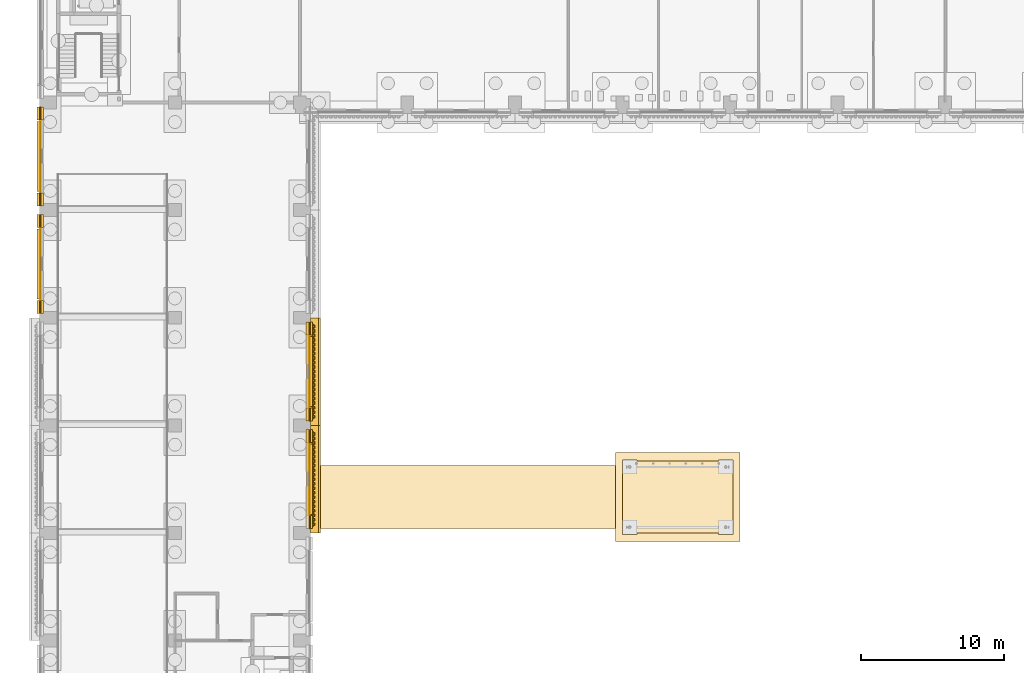
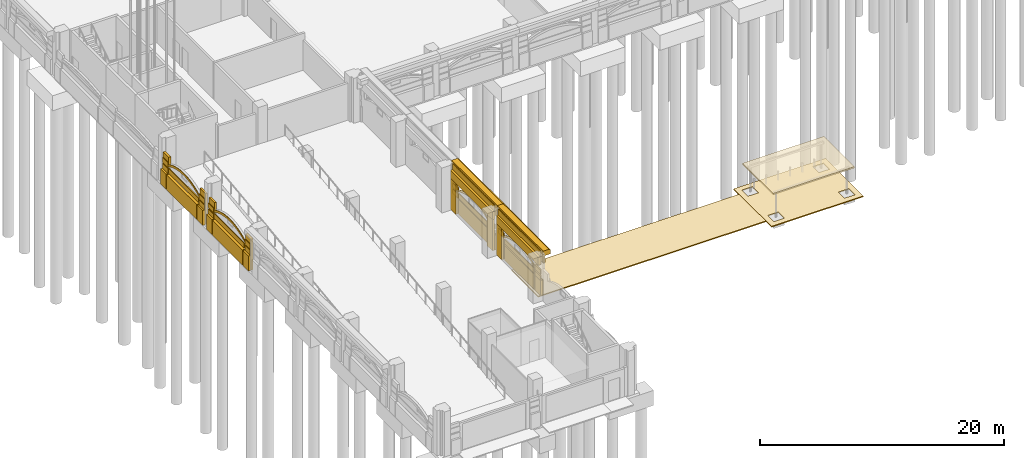
# One storey, part 62 of 99: 52 coverings, 1 element without a shape of its own.
"""IFC4 building model written with IfcOpenShell, lengths in metres."""

import ifcopenshell
import ifcopenshell.guid

model = None  # the IFC model being written
_history = None  # IfcOwnerHistory: only IFC2X3 demands one
_inside = {}  # id of a spatial element -> (the spatial element, [elements in it])
_under = {}  # id of a project, library or spatial element -> (it, [spatial elements below it])
_declared = {}  # id of a project -> (the project, [libraries it declares])
_typed = {}  # id of a type object -> (the type object, [elements of that type])
_made_of = {}  # id of a material, layer set ... -> (it, [elements and type objects made of it])


def new_model(schema):
    """Start an empty IFC model of exactly this schema.

    Asked for "IFC4X3", IfcOpenShell would pick the latest addendum, in which some entities
    have other attributes; the version numbers below select the first issue.
    IFC2X3 requires an IfcOwnerHistory on every rooted entity: one is made here for all.
    """
    global model, _history
    if schema == "IFC4X3":
        model = ifcopenshell.file(schema_version=(4, 3, 0, 0))
    else:
        model = ifcopenshell.file(schema=schema)
    _inside.clear()
    _under.clear()
    _declared.clear()
    _typed.clear()
    _made_of.clear()
    _history = None
    if model.schema == "IFC2X3":
        org = make("IfcOrganization", Name="unknown")
        user = make(
            "IfcPersonAndOrganization",
            ThePerson=make("IfcPerson", FamilyName="unknown"),
            TheOrganization=org,
        )
        app = make(
            "IfcApplication",
            ApplicationDeveloper=org,
            Version="unknown",
            ApplicationFullName="unknown",
            ApplicationIdentifier="unknown",
        )
        _history = make(
            "IfcOwnerHistory",
            OwningUser=user,
            OwningApplication=app,
            ChangeAction="ADDED",
            CreationDate=0,
        )
    return model


def make(cls, **values):
    """One entity of the class cls with the attributes given. An attribute that is None is left unset."""
    return model.create_entity(
        cls, **{name: value for name, value in values.items() if value is not None}
    )


def rooted(cls, **values):
    """An entity with a GlobalId (a new one), such as an element, a storey or a relation."""
    return make(cls, GlobalId=ifcopenshell.guid.new(), OwnerHistory=_history, **values)


def si_unit(unit_type, name, prefix=None):
    """IfcSIUnit, for example si_unit("LENGTHUNIT", "METRE", prefix="MILLI")."""
    return make("IfcSIUnit", UnitType=unit_type, Prefix=prefix, Name=name)


def assignment(units):
    """IfcUnitAssignment: the units of a project."""
    return None if units is None else make("IfcUnitAssignment", Units=units)


def point(xyz):
    """IfcCartesianPoint."""
    return None if xyz is None else make("IfcCartesianPoint", Coordinates=xyz)


def direction(xyz):
    """IfcDirection."""
    return None if xyz is None else make("IfcDirection", DirectionRatios=xyz)


def frame(location, z_axis=None, x_axis=None):
    """IfcAxis2Placement3D, a coordinate frame: its origin and axes. An axis left out is left unset."""
    return make(
        "IfcAxis2Placement3D",
        Location=point(location),
        Axis=direction(z_axis),
        RefDirection=direction(x_axis),
    )


def origin():
    """The frame at (0, 0, 0) with its axes left unset."""
    return frame((0.0, 0.0, 0.0))


def place(relative_to, where):
    """IfcLocalPlacement: puts the frame where relative to a parent placement (None: the world)."""
    return make(
        "IfcLocalPlacement", PlacementRelTo=relative_to, RelativePlacement=where
    )


def context(
    kind, dimensions, precision=None, world=None, true_north=None, identifier=None
):
    """IfcGeometricRepresentationContext, for example the 3D "Model" context."""
    return make(
        "IfcGeometricRepresentationContext",
        ContextIdentifier=identifier,
        ContextType=kind,
        CoordinateSpaceDimension=dimensions,
        Precision=precision,
        WorldCoordinateSystem=world,
        TrueNorth=true_north,
    )


def subcontext(parent, identifier, kind, view, scale=None):
    """IfcGeometricRepresentationSubContext, for example "Body" below "Model"."""
    return make(
        "IfcGeometricRepresentationSubContext",
        ContextIdentifier=identifier,
        ContextType=kind,
        ParentContext=parent,
        TargetScale=scale,
        TargetView=view,
    )


def project(units=None, contexts=None):
    """IfcProject with its units and contexts."""
    return rooted(
        "IfcProject",
        Name="project",
        RepresentationContexts=contexts,
        UnitsInContext=assignment(units),
    )


def spatial(cls, under=None, at=None, **own):
    """A site, building, storey or space (cls), placed at a placement, below another one or the project."""
    s = rooted(cls, ObjectPlacement=at, **own)
    if under is not None:
        _under.setdefault(under.id(), (under, []))[1].append(s)
    return s


def polyline(points):
    """IfcPolyline through the points."""
    return make("IfcPolyline", Points=[point(p) for p in points])


def outline(outer, holes=None, kind="AREA"):
    """IfcArbitraryClosedProfileDef: a profile drawn as a closed curve; with holes, ...WithVoids."""
    if holes is None:
        return make("IfcArbitraryClosedProfileDef", ProfileType=kind, OuterCurve=outer)
    return make(
        "IfcArbitraryProfileDefWithVoids",
        ProfileType=kind,
        OuterCurve=outer,
        InnerCurves=holes,
    )


def extrude(swept, where, along, depth):
    """IfcExtrudedAreaSolid: the profile swept, set in the frame where, extruded along a direction by depth."""
    return make(
        "IfcExtrudedAreaSolid",
        SweptArea=swept,
        Position=where,
        ExtrudedDirection=direction(along),
        Depth=depth,
    )


def shape(context_of_items, identifier, shape_type, items):
    """IfcShapeRepresentation: the items that make up one representation, for example the "Body"."""
    return make(
        "IfcShapeRepresentation",
        ContextOfItems=context_of_items,
        RepresentationIdentifier=identifier,
        RepresentationType=shape_type,
        Items=items,
    )


def material(Name=None, Category=None):
    """IfcMaterial."""
    return make("IfcMaterial", Name=Name, Category=Category)


def layer(
    of_material, thickness, ventilated=None, Name=None, Category=None, Priority=None
):
    """IfcMaterialLayer: one layer of a wall or slab, of a material (None: an air gap)."""
    return make(
        "IfcMaterialLayer",
        Material=of_material,
        LayerThickness=thickness,
        IsVentilated=ventilated,
        Name=Name,
        Category=Category,
        Priority=Priority,
    )


def layer_set(layers, Name=None):
    """IfcMaterialLayerSet."""
    return make("IfcMaterialLayerSet", MaterialLayers=layers, LayerSetName=Name)


def made_of(thing, what):
    """Note that an element or type object is made of a material, layer set ...; save() writes the relation."""
    if what is not None:
        _made_of.setdefault(what.id(), (what, []))[1].append(thing)
    return thing


def type_object(cls, material=None, **own):
    """A type object (cls), such as IfcWallType, which elements share."""
    return made_of(rooted(cls, **own), material)


def element(
    cls,
    number,
    at=None,
    inside=None,
    cuts=None,
    type_object=None,
    material=None,
    context=None,
    identifier="Body",
    shape_type=None,
    held_by="IfcProductDefinitionShape",
    body=None,
    shapes=None,
    **own,
):
    """One element of the class cls, such as IfcWall. Its Tag is "e" and its number.

    at: its placement. inside: the storey or other place that contains it. cuts: it is an
    opening in that element (IfcRelVoidsElement). A single representation is given by context,
    identifier, shape_type and body (its items); several are given by shapes. held_by: the class
    of the entity that holds the representations. save() writes the other relations.
    """
    e = rooted(cls, Tag="e%d" % number, ObjectPlacement=at, **own)
    if body is not None:
        shapes = [shape(context, identifier, shape_type, body)]
    if shapes is not None:
        e.Representation = make(held_by, Representations=shapes)
    if inside is not None:
        _inside.setdefault(inside.id(), (inside, []))[1].append(e)
    if cuts is not None:
        rooted(
            "IfcRelVoidsElement", RelatingBuildingElement=cuts, RelatedOpeningElement=e
        )
    if type_object is not None:
        _typed.setdefault(type_object.id(), (type_object, []))[1].append(e)
    return made_of(e, material)


def aggregate(whole, parts):
    """IfcRelAggregates: a whole, such as a stair, and the parts it consists of."""
    return rooted("IfcRelAggregates", RelatingObject=whole, RelatedObjects=parts)


def save(model, path):
    """Write the relations noted so far, then the file.

    IfcRelAggregates (storeys below a building ...), IfcRelContainedInSpatialStructure (elements
    in a storey), IfcRelDefinesByType, IfcRelAssociatesMaterial and IfcRelDeclares: one each for
    every whole, place, type object, material and project.
    """
    for whole, parts in _under.values():
        aggregate(whole, parts)
    for where, things in _inside.values():
        rooted(
            "IfcRelContainedInSpatialStructure",
            RelatedElements=things,
            RelatingStructure=where,
        )
    for kind, things in _typed.values():
        rooted("IfcRelDefinesByType", RelatedObjects=things, RelatingType=kind)
    for what, things in _made_of.values():
        rooted("IfcRelAssociatesMaterial", RelatedObjects=things, RelatingMaterial=what)
    for by, libraries in _declared.values():
        rooted("IfcRelDeclares", RelatingContext=by, RelatedDefinitions=libraries)
    model.write(path)


model = new_model("IFC4")

# Units and contexts
model_context = context("Model", 3, precision=1e-05, world=origin(), true_north=direction((0.0, 1.0)))
body_context = subcontext(model_context, "Body", "Model", "MODEL_VIEW")
ifc_project = project(units=[si_unit("LENGTHUNIT", "METRE"), si_unit("AREAUNIT", "SQUARE_METRE"), si_unit("VOLUMEUNIT", "CUBIC_METRE"), si_unit("PLANEANGLEUNIT", "RADIAN"), si_unit("MASSUNIT", "GRAM", prefix="KILO")], contexts=[model_context])

# Site, building, storey
site_placement = place(None, origin())
site = spatial("IfcSite", under=ifc_project, at=site_placement, CompositionType="ELEMENT")
building_placement = place(site_placement, origin())
building = spatial("IfcBuilding", under=site, at=building_placement, Name="Cour d'Honneur Mobility Palace", CompositionType="ELEMENT")
storey_placement = place(building_placement, origin())
storey = spatial("IfcBuildingStorey", under=building, at=storey_placement, Name="L00", CompositionType="ELEMENT", Elevation=0.0)

# Coverings
ifc_material_1 = material(Name="Cast limestone", Category="masonry")
ifc_layer_1 = layer(ifc_material_1, 0.050048828125)
ifc_layer_set_1 = layer_set([ifc_layer_1], Name="Cast limestone")
covering_type_1 = type_object("IfcCoveringType", Name="Arch hood", PredefinedType="CLADDING", material=ifc_layer_set_1)
for number, where, z_axis, x_axis, name in (
    (1, (18.10009765625, 16.199951171875, 2.179931640625), (1.0, 0.0, 0.0), (0.0, 0.893604607308, 0.448854994176), "Arch hood AH-3"),
    (2, (18.10009765625, 23.699951171875, 2.179931640625), (1.0, 0.0, 0.0), (0.0, 0.893604607308, 0.448854994176), "Arch hood AH-4"),
    (3, (-0.699951171875, 43.800048828125, 2.179931640625), (-1.0, 0.0, 0.0), (0.0, -0.893604607308, 0.448854994176), "Arch hood AH-54"),
    (4, (-0.699951171875, 36.300048828125, 2.179931640625), (-1.0, 0.0, 0.0), (0.0, -0.893604607308, 0.448854994176), "Arch hood AH-55"),
):
    element("IfcCovering", number, at=place(storey_placement, frame(where, z_axis=z_axis, x_axis=x_axis)), inside=storey, type_object=covering_type_1, Name=name, PredefinedType="CLADDING", context=body_context, shape_type="SweptSolid", body=[
        extrude(outline(polyline([(0.0, 0.0), (0.35681066731556765, 2.7755575615628914e-17), (0.7020064606072944, -0.022579595743628944), (1.0367907964215308, -0.06643079839719385), (1.3617125957426337, -0.129916867910564), (1.677101612077335, -0.2118373946082709), (1.9837229270167351, -0.31175705040594615), (2.2813593776637964, -0.4290203374513023), (2.570556878131994, -0.5636282580346337), (2.8512068469728096, -0.7152530632297959), (3.1229815352600987, -0.884003334485308), (3.3862076896297117, -1.070316404466126), (3.640229812229361, -1.2744094360692875), (3.885155482217271, -1.4971560923344107), (4.120218615712047, -1.7395376154593394), (4.344433961354672, -2.0029715780165787), (4.557470763348117, -2.2892043037950724), (4.656205712018263, -2.0926374700096892), (4.44327849376363, -1.8061865790438643), (4.218953564382193, -1.5429707816739562), (3.9838904308874175, -1.3005892585490275), (3.73907434463832, -1.0776244370965733), (3.484942638299858, -0.873749570680743), (3.221716483930245, -0.6874365006999249), (2.949941795642956, -0.5186862294444128), (2.6692918268021404, -0.3670614242492506), (2.3800943263339427, -0.23245350366591921), (2.0824578756868815, -0.11519021662056306), (1.7758365607474815, -0.015270560822887802), (1.460557128151593, 0.06686813106215028), (1.1355257450916771, 0.1301360353881893), (0.8007414092774409, 0.17398723804175414), (0.4556551997245267, 0.1967849989727143), (0.09873494867014648, 0.19656683378538312), (0.0, 0.0)])), origin(), (0.0, 0.0, -1.0), 0.050048828125),
    ])
ifc_material_2 = material(Name="Granite paving", Category="masonry")
ifc_layer_2 = layer(ifc_material_2, 0.10009765625)
ifc_layer_set_2 = layer_set([ifc_layer_2], Name="Granite paving")
covering_type_2 = type_object("IfcCoveringType", Name="Court path paving", PredefinedType="FLOORING", material=ifc_layer_set_2)
covering_1_placement = place(storey_placement, frame((0.0, 0.0, -0.10009765625)))
element("IfcCovering", 5, at=covering_1_placement, inside=storey, type_object=covering_type_2, Name="Court path W", PredefinedType="FLOORING", context=body_context, shape_type="SweptSolid", body=[
    extrude(outline(polyline([(17.85009765625, 15.300048828125), (39.39990234375, 15.300048828125), (39.39990234375, 19.699951171875), (17.85009765625, 19.699951171875), (17.85009765625, 15.300048828125)])), origin(), (0.0, 0.0, 1.0), 0.10009765625),
])
ifc_material_3 = material(Name="Cast limestone", Category="masonry")
ifc_layer_3 = layer(ifc_material_3, 0.14990234375)
ifc_layer_set_3 = layer_set([ifc_layer_3], Name="Cast limestone")
covering_type_3 = type_object("IfcCoveringType", Name="Dentil course", PredefinedType="CLADDING", material=ifc_layer_set_3)
covering_2_placement = place(storey_placement, frame((0.0, 0.0, 3.949951171875)))
element("IfcCovering", 6, at=covering_2_placement, inside=storey, type_object=covering_type_3, Name="Dentil course DC-1", PredefinedType="CLADDING", context=body_context, shape_type="SweptSolid", body=[
    extrude(outline(polyline([(18.300048828125, 15.449951171875), (18.300048828125, 22.050048828125), (18.330078125, 22.050048828125), (18.330078125, 22.050048828125), (18.330078125, 21.971435546875), (18.449951171875, 21.971435546875), (18.449951171875, 21.814208984375), (18.330078125, 21.814208984375), (18.330078125, 21.735595703125), (18.330078125, 21.735595703125), (18.330078125, 21.6572265625), (18.449951171875, 21.6572265625), (18.449951171875, 21.5), (18.330078125, 21.5), (18.330078125, 21.42138671875), (18.330078125, 21.42138671875), (18.330078125, 21.3427734375), (18.449951171875, 21.3427734375), (18.449951171875, 21.185791015625), (18.330078125, 21.185791015625), (18.330078125, 21.107177734375), (18.330078125, 21.107177734375), (18.330078125, 21.028564453125), (18.449951171875, 21.028564453125), (18.449951171875, 20.871337890625), (18.330078125, 20.871337890625), (18.330078125, 20.79296875), (18.330078125, 20.79296875), (18.330078125, 20.71435546875), (18.449951171875, 20.71435546875), (18.449951171875, 20.55712890625), (18.330078125, 20.55712890625), (18.330078125, 20.478515625), (18.330078125, 20.478515625), (18.330078125, 20.39990234375), (18.449951171875, 20.39990234375), (18.449951171875, 20.242919921875), (18.330078125, 20.242919921875), (18.330078125, 20.164306640625), (18.330078125, 20.164306640625), (18.330078125, 20.085693359375), (18.449951171875, 20.085693359375), (18.449951171875, 19.928466796875), (18.330078125, 19.928466796875), (18.330078125, 19.85009765625), (18.330078125, 19.85009765625), (18.330078125, 19.771484375), (18.449951171875, 19.771484375), (18.449951171875, 19.6142578125), (18.330078125, 19.6142578125), (18.330078125, 19.53564453125), (18.330078125, 19.53564453125), (18.330078125, 19.45703125), (18.449951171875, 19.45703125), (18.449951171875, 19.300048828125), (18.330078125, 19.300048828125), (18.330078125, 19.221435546875), (18.330078125, 19.221435546875), (18.330078125, 19.142822265625), (18.449951171875, 19.142822265625), (18.449951171875, 18.985595703125), (18.330078125, 18.985595703125), (18.330078125, 18.9072265625), (18.330078125, 18.9072265625), (18.330078125, 18.82861328125), (18.449951171875, 18.82861328125), (18.449951171875, 18.67138671875), (18.330078125, 18.67138671875), (18.330078125, 18.5927734375), (18.330078125, 18.5927734375), (18.330078125, 18.514404296875), (18.449951171875, 18.514404296875), (18.449951171875, 18.357177734375), (18.330078125, 18.357177734375), (18.330078125, 18.278564453125), (18.330078125, 18.278564453125), (18.330078125, 18.199951171875), (18.449951171875, 18.199951171875), (18.449951171875, 18.04296875), (18.330078125, 18.04296875), (18.330078125, 17.96435546875), (18.330078125, 17.96435546875), (18.330078125, 17.8857421875), (18.449951171875, 17.8857421875), (18.449951171875, 17.728515625), (18.330078125, 17.728515625), (18.330078125, 17.64990234375), (18.330078125, 17.64990234375), (18.330078125, 17.571533203125), (18.449951171875, 17.571533203125), (18.449951171875, 17.414306640625), (18.330078125, 17.414306640625), (18.330078125, 17.335693359375), (18.330078125, 17.335693359375), (18.330078125, 17.257080078125), (18.449951171875, 17.257080078125), (18.449951171875, 17.10009765625), (18.330078125, 17.10009765625), (18.330078125, 17.021484375), (18.330078125, 17.021484375), (18.330078125, 16.94287109375), (18.449951171875, 16.94287109375), (18.449951171875, 16.78564453125), (18.330078125, 16.78564453125), (18.330078125, 16.70703125), (18.330078125, 16.70703125), (18.330078125, 16.628662109375), (18.449951171875, 16.628662109375), (18.449951171875, 16.471435546875), (18.330078125, 16.471435546875), (18.330078125, 16.392822265625), (18.330078125, 16.392822265625), (18.330078125, 16.314208984375), (18.449951171875, 16.314208984375), (18.449951171875, 16.1572265625), (18.330078125, 16.1572265625), (18.330078125, 16.07861328125), (18.330078125, 16.07861328125), (18.330078125, 16.0), (18.449951171875, 16.0), (18.449951171875, 15.8427734375), (18.330078125, 15.8427734375), (18.330078125, 15.764404296875), (18.330078125, 15.764404296875), (18.330078125, 15.685791015625), (18.449951171875, 15.685791015625), (18.449951171875, 15.528564453125), (18.330078125, 15.528564453125), (18.330078125, 15.449951171875), (18.300048828125, 15.449951171875)])), origin(), (0.0, 0.0, 1.0), 0.150146484375),
])
covering_3_placement = place(storey_placement, frame((0.0, 0.0, 3.949951171875)))
element("IfcCovering", 7, at=covering_3_placement, inside=storey, type_object=covering_type_3, Name="Dentil course DC-2", PredefinedType="CLADDING", context=body_context, shape_type="SweptSolid", body=[
    extrude(outline(polyline([(18.300048828125, 22.949951171875), (18.300048828125, 29.550048828125), (18.330078125, 29.550048828125), (18.330078125, 29.550048828125), (18.330078125, 29.471435546875), (18.449951171875, 29.471435546875), (18.449951171875, 29.314208984375), (18.330078125, 29.314208984375), (18.330078125, 29.235595703125), (18.330078125, 29.235595703125), (18.330078125, 29.1572265625), (18.449951171875, 29.1572265625), (18.449951171875, 29.0), (18.330078125, 29.0), (18.330078125, 28.92138671875), (18.330078125, 28.92138671875), (18.330078125, 28.8427734375), (18.449951171875, 28.8427734375), (18.449951171875, 28.685791015625), (18.330078125, 28.685791015625), (18.330078125, 28.607177734375), (18.330078125, 28.607177734375), (18.330078125, 28.528564453125), (18.449951171875, 28.528564453125), (18.449951171875, 28.371337890625), (18.330078125, 28.371337890625), (18.330078125, 28.29296875), (18.330078125, 28.29296875), (18.330078125, 28.21435546875), (18.449951171875, 28.21435546875), (18.449951171875, 28.05712890625), (18.330078125, 28.05712890625), (18.330078125, 27.978515625), (18.330078125, 27.978515625), (18.330078125, 27.89990234375), (18.449951171875, 27.89990234375), (18.449951171875, 27.742919921875), (18.330078125, 27.742919921875), (18.330078125, 27.664306640625), (18.330078125, 27.664306640625), (18.330078125, 27.585693359375), (18.449951171875, 27.585693359375), (18.449951171875, 27.428466796875), (18.330078125, 27.428466796875), (18.330078125, 27.35009765625), (18.330078125, 27.35009765625), (18.330078125, 27.271484375), (18.449951171875, 27.271484375), (18.449951171875, 27.1142578125), (18.330078125, 27.1142578125), (18.330078125, 27.03564453125), (18.330078125, 27.03564453125), (18.330078125, 26.95703125), (18.449951171875, 26.95703125), (18.449951171875, 26.800048828125), (18.330078125, 26.800048828125), (18.330078125, 26.721435546875), (18.330078125, 26.721435546875), (18.330078125, 26.642822265625), (18.449951171875, 26.642822265625), (18.449951171875, 26.485595703125), (18.330078125, 26.485595703125), (18.330078125, 26.4072265625), (18.330078125, 26.4072265625), (18.330078125, 26.32861328125), (18.449951171875, 26.32861328125), (18.449951171875, 26.17138671875), (18.330078125, 26.17138671875), (18.330078125, 26.0927734375), (18.330078125, 26.0927734375), (18.330078125, 26.014404296875), (18.449951171875, 26.014404296875), (18.449951171875, 25.857177734375), (18.330078125, 25.857177734375), (18.330078125, 25.778564453125), (18.330078125, 25.778564453125), (18.330078125, 25.699951171875), (18.449951171875, 25.699951171875), (18.449951171875, 25.54296875), (18.330078125, 25.54296875), (18.330078125, 25.46435546875), (18.330078125, 25.46435546875), (18.330078125, 25.3857421875), (18.449951171875, 25.3857421875), (18.449951171875, 25.228515625), (18.330078125, 25.228515625), (18.330078125, 25.14990234375), (18.330078125, 25.14990234375), (18.330078125, 25.071533203125), (18.449951171875, 25.071533203125), (18.449951171875, 24.914306640625), (18.330078125, 24.914306640625), (18.330078125, 24.835693359375), (18.330078125, 24.835693359375), (18.330078125, 24.757080078125), (18.449951171875, 24.757080078125), (18.449951171875, 24.60009765625), (18.330078125, 24.60009765625), (18.330078125, 24.521484375), (18.330078125, 24.521484375), (18.330078125, 24.44287109375), (18.449951171875, 24.44287109375), (18.449951171875, 24.28564453125), (18.330078125, 24.28564453125), (18.330078125, 24.20703125), (18.330078125, 24.20703125), (18.330078125, 24.128662109375), (18.449951171875, 24.128662109375), (18.449951171875, 23.971435546875), (18.330078125, 23.971435546875), (18.330078125, 23.892822265625), (18.330078125, 23.892822265625), (18.330078125, 23.814208984375), (18.449951171875, 23.814208984375), (18.449951171875, 23.6572265625), (18.330078125, 23.6572265625), (18.330078125, 23.57861328125), (18.330078125, 23.57861328125), (18.330078125, 23.5), (18.449951171875, 23.5), (18.449951171875, 23.3427734375), (18.330078125, 23.3427734375), (18.330078125, 23.264404296875), (18.330078125, 23.264404296875), (18.330078125, 23.185791015625), (18.449951171875, 23.185791015625), (18.449951171875, 23.028564453125), (18.330078125, 23.028564453125), (18.330078125, 22.949951171875), (18.300048828125, 22.949951171875)])), origin(), (0.0, 0.0, 1.0), 0.150146484375),
])
ifc_material_4 = material(Name="Cast limestone", Category="masonry")
ifc_layer_4 = layer(ifc_material_4, 0.699951171875)
ifc_layer_set_4 = layer_set([ifc_layer_4], Name="Cast limestone")
covering_type_4 = type_object("IfcCoveringType", Name="Entablature", PredefinedType="CLADDING", material=ifc_layer_set_4)
for number, where, z_axis, x_axis, name in (
    (8, (18.14990234375, 15.0, 3.39990234375), (0.0, -1.0, 0.0), (1.0, 0.0, 0.0), "Entablature EN-1"),
    (9, (18.14990234375, 22.5, 3.39990234375), (0.0, -1.0, 0.0), (1.0, 0.0, 0.0), "Entablature EN-2"),
):
    element("IfcCovering", number, at=place(storey_placement, frame(where, z_axis=z_axis, x_axis=x_axis)), inside=storey, type_object=covering_type_4, Name=name, PredefinedType="CLADDING", context=body_context, shape_type="SweptSolid", body=[
        extrude(outline(polyline([(0.0, 0.0), (0.150146484375, 0.0), (0.150146484375, 0.7001953125), (0.7001953125, 0.7001953125), (0.7001953125, 1.10009765625), (0.550048828125, 1.2001953125), (0.0, 1.2001953125), (0.0, 0.0)])), origin(), (0.0, 0.0, -1.0), 7.5),
    ])
ifc_material_5 = material(Name="Cast limestone", Category="masonry")
ifc_layer_5 = layer(ifc_material_5, 0.25)
ifc_layer_set_5 = layer_set([ifc_layer_5], Name="Cast limestone")
covering_type_5 = type_object("IfcCoveringType", Name="Plinth course", PredefinedType="CLADDING", material=ifc_layer_set_5)
covering_4_placement = place(storey_placement, origin())
element("IfcCovering", 10, at=covering_4_placement, inside=storey, type_object=covering_type_5, Name="Plinth course PI-9", PredefinedType="CLADDING", context=body_context, shape_type="SweptSolid", body=[
    extrude(outline(polyline([(18.050048828125, 15.300048828125), (18.050048828125, 16.199951171875), (18.300048828125, 16.199951171875), (18.300048828125, 15.300048828125), (18.050048828125, 15.300048828125)])), origin(), (0.0, 0.0, 1.0), 1.5),
])
covering_5_placement = place(storey_placement, origin())
element("IfcCovering", 11, at=covering_5_placement, inside=storey, type_object=covering_type_5, Name="Plinth course PI-10", PredefinedType="CLADDING", context=body_context, shape_type="SweptSolid", body=[
    extrude(outline(polyline([(18.050048828125, 21.300048828125), (18.050048828125, 22.199951171875), (18.300048828125, 22.199951171875), (18.300048828125, 21.300048828125), (18.050048828125, 21.300048828125)])), origin(), (0.0, 0.0, 1.0), 1.5),
])
covering_6_placement = place(storey_placement, origin())
element("IfcCovering", 12, at=covering_6_placement, inside=storey, type_object=covering_type_5, Name="Plinth course PI-11", PredefinedType="CLADDING", context=body_context, shape_type="SweptSolid", body=[
    extrude(outline(polyline([(18.050048828125, 16.300048828125), (18.050048828125, 21.199951171875), (18.300048828125, 21.199951171875), (18.300048828125, 16.300048828125), (18.050048828125, 16.300048828125)])), origin(), (0.0, 0.0, 1.0), 1.5),
])
covering_7_placement = place(storey_placement, origin())
element("IfcCovering", 13, at=covering_7_placement, inside=storey, type_object=covering_type_5, Name="Plinth course PI-12", PredefinedType="CLADDING", context=body_context, shape_type="SweptSolid", body=[
    extrude(outline(polyline([(18.050048828125, 22.800048828125), (18.050048828125, 23.699951171875), (18.300048828125, 23.699951171875), (18.300048828125, 22.800048828125), (18.050048828125, 22.800048828125)])), origin(), (0.0, 0.0, 1.0), 1.5),
])
covering_8_placement = place(storey_placement, origin())
element("IfcCovering", 14, at=covering_8_placement, inside=storey, type_object=covering_type_5, Name="Plinth course PI-13", PredefinedType="CLADDING", context=body_context, shape_type="SweptSolid", body=[
    extrude(outline(polyline([(18.050048828125, 28.800048828125), (18.050048828125, 29.699951171875), (18.300048828125, 29.699951171875), (18.300048828125, 28.800048828125), (18.050048828125, 28.800048828125)])), origin(), (0.0, 0.0, 1.0), 1.5),
])
covering_9_placement = place(storey_placement, origin())
element("IfcCovering", 15, at=covering_9_placement, inside=storey, type_object=covering_type_5, Name="Plinth course PI-14", PredefinedType="CLADDING", context=body_context, shape_type="SweptSolid", body=[
    extrude(outline(polyline([(18.050048828125, 23.800048828125), (18.050048828125, 28.699951171875), (18.300048828125, 28.699951171875), (18.300048828125, 23.800048828125), (18.050048828125, 23.800048828125)])), origin(), (0.0, 0.0, 1.0), 1.5),
])
covering_10_placement = place(storey_placement, origin())
element("IfcCovering", 16, at=covering_10_placement, inside=storey, type_object=covering_type_5, Name="Plinth course PI-213", PredefinedType="CLADDING", context=body_context, shape_type="SweptSolid", body=[
    extrude(outline(polyline([(-0.64990234375, 44.699951171875), (-0.64990234375, 43.800048828125), (-0.89990234375, 43.800048828125), (-0.89990234375, 44.699951171875), (-0.64990234375, 44.699951171875)])), origin(), (0.0, 0.0, 1.0), 1.5),
])
covering_11_placement = place(storey_placement, origin())
element("IfcCovering", 17, at=covering_11_placement, inside=storey, type_object=covering_type_5, Name="Plinth course PI-214", PredefinedType="CLADDING", context=body_context, shape_type="SweptSolid", body=[
    extrude(outline(polyline([(-0.64990234375, 38.699951171875), (-0.64990234375, 37.800048828125), (-0.89990234375, 37.800048828125), (-0.89990234375, 38.699951171875), (-0.64990234375, 38.699951171875)])), origin(), (0.0, 0.0, 1.0), 1.5),
])
covering_12_placement = place(storey_placement, origin())
element("IfcCovering", 18, at=covering_12_placement, inside=storey, type_object=covering_type_5, Name="Plinth course PI-215", PredefinedType="CLADDING", context=body_context, shape_type="SweptSolid", body=[
    extrude(outline(polyline([(-0.64990234375, 43.699951171875), (-0.64990234375, 38.800048828125), (-0.89990234375, 38.800048828125), (-0.89990234375, 43.699951171875), (-0.64990234375, 43.699951171875)])), origin(), (0.0, 0.0, 1.0), 1.5),
])
covering_13_placement = place(storey_placement, origin())
element("IfcCovering", 19, at=covering_13_placement, inside=storey, type_object=covering_type_5, Name="Plinth course PI-216", PredefinedType="CLADDING", context=body_context, shape_type="SweptSolid", body=[
    extrude(outline(polyline([(-0.64990234375, 37.199951171875), (-0.64990234375, 36.300048828125), (-0.89990234375, 36.300048828125), (-0.89990234375, 37.199951171875), (-0.64990234375, 37.199951171875)])), origin(), (0.0, 0.0, 1.0), 1.5),
])
covering_14_placement = place(storey_placement, origin())
element("IfcCovering", 20, at=covering_14_placement, inside=storey, type_object=covering_type_5, Name="Plinth course PI-217", PredefinedType="CLADDING", context=body_context, shape_type="SweptSolid", body=[
    extrude(outline(polyline([(-0.64990234375, 31.199951171875), (-0.64990234375, 30.300048828125), (-0.89990234375, 30.300048828125), (-0.89990234375, 31.199951171875), (-0.64990234375, 31.199951171875)])), origin(), (0.0, 0.0, 1.0), 1.5),
])
covering_15_placement = place(storey_placement, origin())
element("IfcCovering", 21, at=covering_15_placement, inside=storey, type_object=covering_type_5, Name="Plinth course PI-218", PredefinedType="CLADDING", context=body_context, shape_type="SweptSolid", body=[
    extrude(outline(polyline([(-0.64990234375, 36.199951171875), (-0.64990234375, 31.300048828125), (-0.89990234375, 31.300048828125), (-0.89990234375, 36.199951171875), (-0.64990234375, 36.199951171875)])), origin(), (0.0, 0.0, 1.0), 1.5),
])
ifc_material_6 = material(Name="Cast limestone", Category="masonry")
ifc_layer_6 = layer(ifc_material_6, 0.199951171875)
ifc_layer_set_6 = layer_set([ifc_layer_6], Name="Cast limestone")
covering_type_6 = type_object("IfcCoveringType", Name="Rusticated jamb panel", PredefinedType="CLADDING", material=ifc_layer_set_6)
for number, where, z_axis, x_axis, name in (
    (22, (18.050048828125, 21.300048828125, 0.0), (1.0, 0.0, 0.0), (0.0, 1.0, 0.0), "Rusticated jamb panel RP-10"),
    (23, (18.050048828125, 22.800048828125, 0.0), (1.0, 0.0, 0.0), (0.0, 1.0, 0.0), "Rusticated jamb panel RP-11"),
    (24, (18.050048828125, 28.800048828125, 0.0), (1.0, 0.0, 0.0), (0.0, 1.0, 0.0), "Rusticated jamb panel RP-12"),
    (25, (-0.64990234375, 44.699951171875, 0.0), (-1.0, 0.0, 0.0), (0.0, -1.0, 0.0), "Rusticated jamb panel RP-180"),
    (26, (-0.64990234375, 38.699951171875, 0.0), (-1.0, 0.0, 0.0), (0.0, -1.0, 0.0), "Rusticated jamb panel RP-181"),
    (27, (-0.64990234375, 37.199951171875, 0.0), (-1.0, 0.0, 0.0), (0.0, -1.0, 0.0), "Rusticated jamb panel RP-182"),
    (28, (-0.64990234375, 31.199951171875, 0.0), (-1.0, 0.0, 0.0), (0.0, -1.0, 0.0), "Rusticated jamb panel RP-183"),
):
    element("IfcCovering", number, at=place(storey_placement, frame(where, z_axis=z_axis, x_axis=x_axis)), inside=storey, type_object=covering_type_6, Name=name, PredefinedType="CLADDING", context=body_context, shape_type="SweptSolid", body=[
        extrude(outline(polyline([(0.0, 0.0), (0.89990234375, 0.0), (0.89990234375, 3.10009765625), (0.0, 3.10009765625), (0.0, 0.0)])), origin(), (0.0, 0.0, -1.0), 0.199951171875),
    ])
ifc_material_7 = material(Name="Cast limestone", Category="masonry")
ifc_layer_7 = layer(ifc_material_7, 0.080078125)
ifc_layer_set_7 = layer_set([ifc_layer_7], Name="Cast limestone")
covering_type_7 = type_object("IfcCoveringType", Name="Rustication course", PredefinedType="CLADDING", material=ifc_layer_set_7)
for number, where, name in (
    (29, (0.0, 0.0, 1.5), "Rustication course RC-15"),
    (30, (0.0, 0.0, 2.10009765625), "Rustication course RC-16"),
):
    element("IfcCovering", number, at=place(storey_placement, frame(where)), inside=storey, type_object=covering_type_7, Name=name, PredefinedType="CLADDING", context=body_context, shape_type="SweptSolid", body=[
        extrude(outline(polyline([(18.050048828125, 15.300048828125), (18.050048828125, 16.199951171875), (18.1298828125, 16.199951171875), (18.1298828125, 15.300048828125), (18.050048828125, 15.300048828125)])), origin(), (0.0, 0.0, 1.0), 0.47998046875),
    ])
for number, where, name in (
    (31, (0.0, 0.0, 1.5), "Rustication course RC-17"),
    (32, (0.0, 0.0, 2.10009765625), "Rustication course RC-18"),
):
    element("IfcCovering", number, at=place(storey_placement, frame(where)), inside=storey, type_object=covering_type_7, Name=name, PredefinedType="CLADDING", context=body_context, shape_type="SweptSolid", body=[
        extrude(outline(polyline([(18.050048828125, 21.300048828125), (18.050048828125, 22.199951171875), (18.1298828125, 22.199951171875), (18.1298828125, 21.300048828125), (18.050048828125, 21.300048828125)])), origin(), (0.0, 0.0, 1.0), 0.47998046875),
    ])
covering_16_placement = place(storey_placement, frame((0.0, 0.0, 1.6201171875)))
element("IfcCovering", 33, at=covering_16_placement, inside=storey, type_object=covering_type_7, Name="Rustication course RC-19", PredefinedType="CLADDING", context=body_context, shape_type="SweptSolid", body=[
    extrude(outline(polyline([(18.050048828125, 16.300048828125), (18.050048828125, 21.199951171875), (18.1298828125, 21.199951171875), (18.1298828125, 16.300048828125), (18.050048828125, 16.300048828125)])), origin(), (0.0, 0.0, 1.0), 0.47998046875),
])
for number, where, name in (
    (34, (0.0, 0.0, 1.5), "Rustication course RC-20"),
    (35, (0.0, 0.0, 2.10009765625), "Rustication course RC-21"),
):
    element("IfcCovering", number, at=place(storey_placement, frame(where)), inside=storey, type_object=covering_type_7, Name=name, PredefinedType="CLADDING", context=body_context, shape_type="SweptSolid", body=[
        extrude(outline(polyline([(18.050048828125, 22.800048828125), (18.050048828125, 23.699951171875), (18.1298828125, 23.699951171875), (18.1298828125, 22.800048828125), (18.050048828125, 22.800048828125)])), origin(), (0.0, 0.0, 1.0), 0.47998046875),
    ])
for number, where, name in (
    (36, (0.0, 0.0, 1.5), "Rustication course RC-22"),
    (37, (0.0, 0.0, 2.10009765625), "Rustication course RC-23"),
):
    element("IfcCovering", number, at=place(storey_placement, frame(where)), inside=storey, type_object=covering_type_7, Name=name, PredefinedType="CLADDING", context=body_context, shape_type="SweptSolid", body=[
        extrude(outline(polyline([(18.050048828125, 28.800048828125), (18.050048828125, 29.699951171875), (18.1298828125, 29.699951171875), (18.1298828125, 28.800048828125), (18.050048828125, 28.800048828125)])), origin(), (0.0, 0.0, 1.0), 0.47998046875),
    ])
covering_17_placement = place(storey_placement, frame((0.0, 0.0, 1.6201171875)))
element("IfcCovering", 38, at=covering_17_placement, inside=storey, type_object=covering_type_7, Name="Rustication course RC-24", PredefinedType="CLADDING", context=body_context, shape_type="SweptSolid", body=[
    extrude(outline(polyline([(18.050048828125, 23.800048828125), (18.050048828125, 28.699951171875), (18.1298828125, 28.699951171875), (18.1298828125, 23.800048828125), (18.050048828125, 23.800048828125)])), origin(), (0.0, 0.0, 1.0), 0.47998046875),
])
for number, where, name in (
    (39, (0.0, 0.0, 1.5), "Rustication course RC-388"),
    (40, (0.0, 0.0, 2.10009765625), "Rustication course RC-389"),
):
    element("IfcCovering", number, at=place(storey_placement, frame(where)), inside=storey, type_object=covering_type_7, Name=name, PredefinedType="CLADDING", context=body_context, shape_type="SweptSolid", body=[
        extrude(outline(polyline([(-0.64990234375, 44.699951171875), (-0.64990234375, 43.800048828125), (-0.72998046875, 43.800048828125), (-0.72998046875, 44.699951171875), (-0.64990234375, 44.699951171875)])), origin(), (0.0, 0.0, 1.0), 0.47998046875),
    ])
for number, where, name in (
    (41, (0.0, 0.0, 1.5), "Rustication course RC-390"),
    (42, (0.0, 0.0, 2.10009765625), "Rustication course RC-391"),
):
    element("IfcCovering", number, at=place(storey_placement, frame(where)), inside=storey, type_object=covering_type_7, Name=name, PredefinedType="CLADDING", context=body_context, shape_type="SweptSolid", body=[
        extrude(outline(polyline([(-0.64990234375, 38.699951171875), (-0.64990234375, 37.800048828125), (-0.72998046875, 37.800048828125), (-0.72998046875, 38.699951171875), (-0.64990234375, 38.699951171875)])), origin(), (0.0, 0.0, 1.0), 0.47998046875),
    ])
covering_18_placement = place(storey_placement, frame((0.0, 0.0, 1.6201171875)))
element("IfcCovering", 43, at=covering_18_placement, inside=storey, type_object=covering_type_7, Name="Rustication course RC-392", PredefinedType="CLADDING", context=body_context, shape_type="SweptSolid", body=[
    extrude(outline(polyline([(-0.64990234375, 43.699951171875), (-0.64990234375, 38.800048828125), (-0.72998046875, 38.800048828125), (-0.72998046875, 43.699951171875), (-0.64990234375, 43.699951171875)])), origin(), (0.0, 0.0, 1.0), 0.47998046875),
])
for number, where, name in (
    (44, (0.0, 0.0, 1.5), "Rustication course RC-393"),
    (45, (0.0, 0.0, 2.10009765625), "Rustication course RC-394"),
):
    element("IfcCovering", number, at=place(storey_placement, frame(where)), inside=storey, type_object=covering_type_7, Name=name, PredefinedType="CLADDING", context=body_context, shape_type="SweptSolid", body=[
        extrude(outline(polyline([(-0.64990234375, 37.199951171875), (-0.64990234375, 36.300048828125), (-0.72998046875, 36.300048828125), (-0.72998046875, 37.199951171875), (-0.64990234375, 37.199951171875)])), origin(), (0.0, 0.0, 1.0), 0.47998046875),
    ])
for number, where, name in (
    (46, (0.0, 0.0, 1.5), "Rustication course RC-395"),
    (47, (0.0, 0.0, 2.10009765625), "Rustication course RC-396"),
):
    element("IfcCovering", number, at=place(storey_placement, frame(where)), inside=storey, type_object=covering_type_7, Name=name, PredefinedType="CLADDING", context=body_context, shape_type="SweptSolid", body=[
        extrude(outline(polyline([(-0.64990234375, 31.199951171875), (-0.64990234375, 30.300048828125), (-0.72998046875, 30.300048828125), (-0.72998046875, 31.199951171875), (-0.64990234375, 31.199951171875)])), origin(), (0.0, 0.0, 1.0), 0.47998046875),
    ])
covering_19_placement = place(storey_placement, frame((0.0, 0.0, 1.6201171875)))
element("IfcCovering", 48, at=covering_19_placement, inside=storey, type_object=covering_type_7, Name="Rustication course RC-397", PredefinedType="CLADDING", context=body_context, shape_type="SweptSolid", body=[
    extrude(outline(polyline([(-0.64990234375, 36.199951171875), (-0.64990234375, 31.300048828125), (-0.72998046875, 31.300048828125), (-0.72998046875, 36.199951171875), (-0.64990234375, 36.199951171875)])), origin(), (0.0, 0.0, 1.0), 0.47998046875),
])

# Roof, covering
ifc_material_8 = material(Name="Zinc standing seam")
ifc_layer_8 = layer(ifc_material_8, 0.06005859375)
ifc_layer_set_8 = layer_set([ifc_layer_8], Name="Zinc standing seam")
roof_type = type_object("IfcRoofType", Name="Flat roof", PredefinedType="FLAT_ROOF", material=ifc_layer_set_8)
roof_placement = place(storey_placement, origin())
roof = element("IfcRoof", 49, at=roof_placement, inside=storey, type_object=roof_type, Name="Shelter roof W", PredefinedType="FLAT_ROOF")
ifc_material_9 = material(Name="Zinc standing seam")
ifc_layer_9 = layer(ifc_material_9, 0.14990234375)
ifc_layer_set_9 = layer_set([ifc_layer_9], Name="Zinc standing seam")
covering_type_8 = type_object("IfcCoveringType", Name="Sandwich roof panel", PredefinedType="ROOFING", material=ifc_layer_set_9)
covering_20_placement = place(storey_placement, frame((0.0, 0.0, 2.60009765625)))
covering_20 = element("IfcCovering", 50, at=covering_20_placement, type_object=covering_type_8, Name="Shelter roof panel SR-W", PredefinedType="ROOFING", context=body_context, shape_type="SweptSolid", body=[
    extrude(outline(polyline([(39.89990234375, 15.0), (47.60009765625, 15.0), (47.60009765625, 20.0), (39.89990234375, 20.0), (39.89990234375, 15.0)])), origin(), (0.0, 0.0, 1.0), 0.14990234375),
])
aggregate(roof, [covering_20])

# Coverings
ifc_material_10 = material(Name="Granite paving", Category="masonry")
ifc_layer_10 = layer(ifc_material_10, 0.10009765625)
ifc_layer_set_10 = layer_set([ifc_layer_10], Name="Granite paving")
covering_type_9 = type_object("IfcCoveringType", Name="Shelter paving", PredefinedType="FLOORING", material=ifc_layer_set_10)
covering_21_placement = place(storey_placement, frame((0.0, 0.0, -0.10009765625)))
element("IfcCovering", 51, at=covering_21_placement, inside=storey, type_object=covering_type_9, Name="Shelter paving SP-W", PredefinedType="FLOORING", context=body_context, shape_type="SweptSolid", body=[
    extrude(outline(polyline([(39.39990234375, 14.39990234375), (48.10009765625, 14.39990234375), (48.10009765625, 20.60009765625), (39.39990234375, 20.60009765625), (39.39990234375, 14.39990234375)]), holes=[polyline([(39.89990234375, 14.89990234375), (40.89990234375, 14.89990234375), (40.89990234375, 15.89990234375), (39.89990234375, 15.89990234375), (39.89990234375, 14.89990234375)]), polyline([(39.89990234375, 19.10009765625), (40.89990234375, 19.10009765625), (40.89990234375, 20.10009765625), (39.89990234375, 20.10009765625), (39.89990234375, 19.10009765625)]), polyline([(46.60009765625, 14.89990234375), (47.60009765625, 14.89990234375), (47.60009765625, 15.89990234375), (46.60009765625, 15.89990234375), (46.60009765625, 14.89990234375)]), polyline([(46.60009765625, 19.10009765625), (47.60009765625, 19.10009765625), (47.60009765625, 20.10009765625), (46.60009765625, 20.10009765625), (46.60009765625, 19.10009765625)])]), origin(), (0.0, 0.0, 1.0), 0.10009765625),
])
ifc_material_11 = material(Name="Cast limestone", Category="masonry")
ifc_layer_11 = layer(ifc_material_11, 0.25)
ifc_layer_set_11 = layer_set([ifc_layer_11], Name="Cast limestone")
covering_type_10 = type_object("IfcCoveringType", Name="Spandrel cladding", PredefinedType="CLADDING", material=ifc_layer_set_11)
for number, where, z_axis, x_axis, name in (
    (52, (17.85009765625, 15.300048828125, 3.10009765625), (0.0, -1.0, 0.0), (1.0, 0.0, 0.0), "Spandrel cladding SK-1"),
    (53, (17.85009765625, 22.800048828125, 3.10009765625), (0.0, -1.0, 0.0), (1.0, 0.0, 0.0), "Spandrel cladding SK-2"),
):
    element("IfcCovering", number, at=place(storey_placement, frame(where, z_axis=z_axis, x_axis=x_axis)), inside=storey, type_object=covering_type_10, Name=name, PredefinedType="CLADDING", context=body_context, shape_type="SweptSolid", body=[
        extrude(outline(polyline([(0.0, 0.0), (0.25, 0.0), (0.25, 1.39990234375), (0.199951171875, 1.39990234375), (0.199951171875, 0.7998046875), (0.0, 0.7998046875), (0.0, 0.0)])), origin(), (0.0, 0.0, -1.0), 6.89990234375),
    ])

save(model, "model.ifc")
